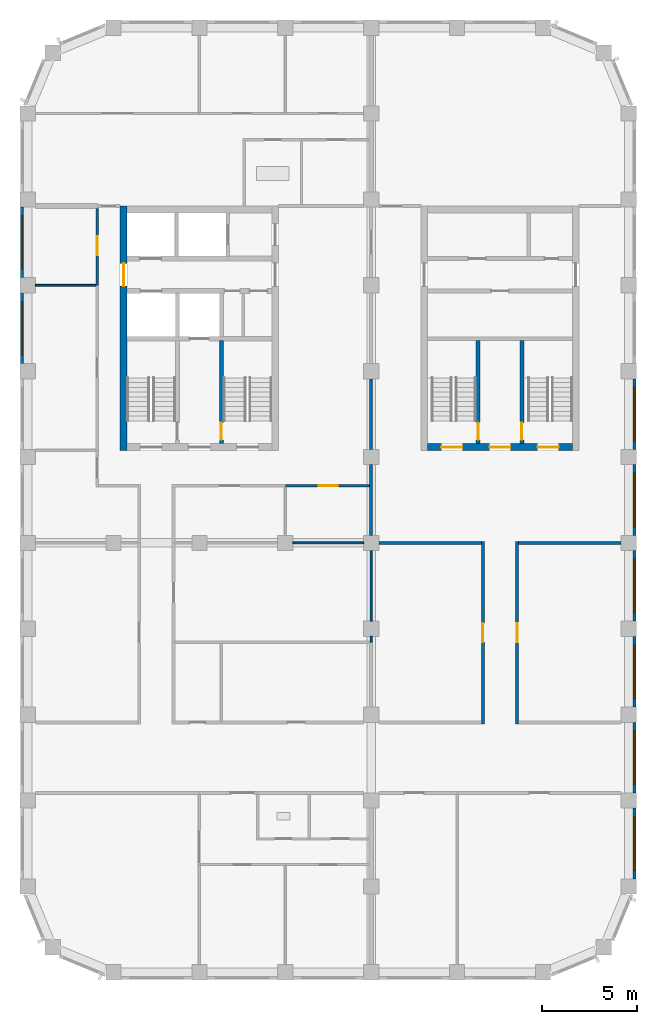
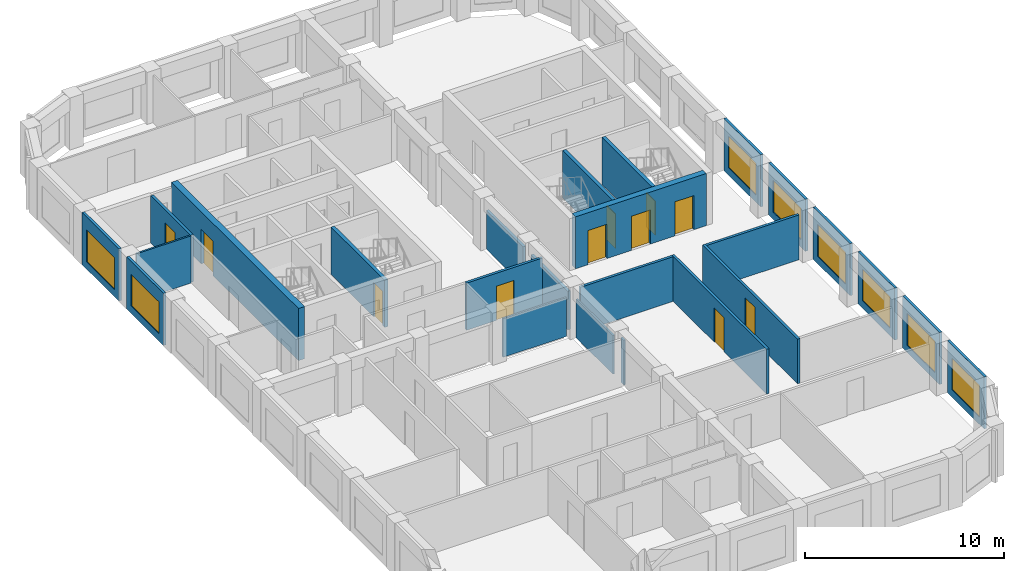
# One storey, part 4 of 9: 25 walls, 11 doors, 8 windows, 19 openings.
"""IFC4 building model written with IfcOpenShell, lengths in metres."""

from ifc_helpers import new_model, si_unit, direction, frame, frame_2d, origin, place, context, subcontext, project, spatial, rectangle, extrude, material, layer, layer_set, type_object, element, fill, save


model = new_model("IFC4")

# Units and contexts
model_context = context("Model", 3, precision=1e-05, world=origin(), true_north=direction((0.0, 1.0)))
body_context = subcontext(model_context, "Body", "Model", "MODEL_VIEW")
ifc_project = project(units=[si_unit("LENGTHUNIT", "METRE"), si_unit("AREAUNIT", "SQUARE_METRE"), si_unit("VOLUMEUNIT", "CUBIC_METRE"), si_unit("PLANEANGLEUNIT", "RADIAN"), si_unit("MASSUNIT", "GRAM", prefix="KILO")], contexts=[model_context])

# Site, building, storey
site_placement = place(None, origin())
site = spatial("IfcSite", under=ifc_project, at=site_placement, CompositionType="ELEMENT")
building_placement = place(site_placement, origin())
building = spatial("IfcBuilding", under=site, at=building_placement, Name="Girih Gate Residences", CompositionType="ELEMENT")
storey_placement = place(building_placement, frame((0.0, 0.0, 185.89990234375)))
storey = spatial("IfcBuildingStorey", under=building, at=storey_placement, Name="L51", CompositionType="ELEMENT", Elevation=185.89990234375)

# Walls
ifc_material_1 = material(Name="Gypsum board on steel studs", Category="steel")
ifc_layer_1 = layer(ifc_material_1, 0.14990234375)
ifc_layer_set_1 = layer_set([ifc_layer_1], Name="Compartment wall 150 mm")
wall_type_1 = type_object("IfcWallType", Name="Compartment wall 150 mm", PredefinedType="PARTITIONING", material=ifc_layer_set_1)
for number, where, z_axis, x_axis, name in (
    (1, (18.39990234375, 22.5, 0.0), (0.0, 0.0, 1.0), (1.0, 0.0, 0.0), "L51 partition"),
    (2, (25.72509765625, 22.5, 0.0), (0.0, 0.0, 1.0), (1.0, 0.0, 0.0), "L51 partition"),
):
    element("IfcWall", number, at=place(storey_placement, frame(where, z_axis=z_axis, x_axis=x_axis)), inside=storey, type_object=wall_type_1, Name=name, PredefinedType="PARTITIONING", context=body_context, shape_type="SweptSolid", body=[
        extrude(rectangle(XDim=5.375, YDim=0.14990234375, at=frame_2d((2.6875, 0.0))), origin(), (0.0, 0.0, 1.0), 2.75),
    ])
for number, where, z_axis, x_axis, name in (
    (3, (18.0, 27.39990234375, 0.0), (0.0, 0.0, 1.0), (0.0, 1.0, 0.0), "L51 partition"),
    (4, (18.0, 22.89990234375, 0.0), (0.0, 0.0, 1.0), (0.0, 1.0, 0.0), "L51 partition"),
):
    element("IfcWall", number, at=place(storey_placement, frame(where, z_axis=z_axis, x_axis=x_axis)), inside=storey, type_object=wall_type_1, Name=name, PredefinedType="PARTITIONING", context=body_context, shape_type="SweptSolid", body=[
        extrude(rectangle(XDim=3.7001953125, YDim=0.14990234375, at=frame_2d((1.85009765625, 0.0))), origin(), (0.0, 0.0, 1.0), 2.380126953125),
    ])

# Wall, opening, door
wall_1_placement = place(storey_placement, frame((23.85009765625, 13.02490234375, 0.0), z_axis=(0.0, 0.0, 1.0), x_axis=(0.0, 1.0, 0.0)))
wall_1 = element("IfcWall", 5, at=wall_1_placement, inside=storey, type_object=wall_type_1, Name="L51 partition", PredefinedType="PARTITIONING", context=body_context, shape_type="SweptSolid", body=[
    extrude(rectangle(XDim=9.550048828125, YDim=0.14990234375, at=frame_2d((4.77490234375, 0.0))), origin(), (0.0, 0.0, 1.0), 2.75),
])
opening_1_placement = place(wall_1_placement, frame((4.27490234375, 0.0, 0.0)))
opening_1 = element("IfcOpeningElement", 6, at=opening_1_placement, cuts=wall_1, Name="Opening A51-018", PredefinedType="OPENING", context=body_context, shape_type="SweptSolid", body=[
    extrude(rectangle(XDim=1.0, YDim=2.10009765625, at=frame_2d((0.5, 1.050048828125))), frame((0.0, 0.0849609375, 0.0), z_axis=(0.0, -1.0, 0.0), x_axis=(1.0, 0.0, 0.0)), (0.0, 0.0, 1.0), 0.169921875),
])
ifc_material_2 = material(Name="Timber, fire-rated core", Category="wood")
door_type_1 = type_object("IfcDoorType", Name="Amenity room door 1000x2100 FD30S", OperationType="NOTDEFINED", PredefinedType="DOOR", material=ifc_material_2)
door_1_placement = place(opening_1_placement, origin())
door_1 = element("IfcDoor", 7, at=door_1_placement, inside=storey, type_object=door_type_1, Name="Door A51-018", OperationType="SINGLE_SWING_RIGHT", OverallHeight=2.10009765625, OverallWidth=1.0, PredefinedType="DOOR", context=body_context, shape_type="SweptSolid", body=[
    extrude(rectangle(XDim=1.0, YDim=2.10009765625, at=frame_2d((0.5, 1.050048828125))), frame((0.0, 0.02490234375, 0.0), z_axis=(0.0, -1.0, 0.0), x_axis=(1.0, 0.0, 0.0)), (0.0, 0.0, 1.0), 0.050048828125),
])
fill(opening_1, door_1)

wall_2_placement = place(storey_placement, frame((25.64990234375, 22.574951171875, 0.0), z_axis=(0.0, 0.0, 1.0), x_axis=(0.0, -1.0, 0.0)))
wall_2 = element("IfcWall", 8, at=wall_2_placement, inside=storey, type_object=wall_type_1, Name="L51 partition", PredefinedType="PARTITIONING", context=body_context, shape_type="SweptSolid", body=[
    extrude(rectangle(XDim=9.550048828125, YDim=0.14990234375, at=frame_2d((4.77490234375, 0.0))), origin(), (0.0, 0.0, 1.0), 2.75),
])
opening_2_placement = place(wall_2_placement, frame((4.27490234375, 0.0, 0.0)))
opening_2 = element("IfcOpeningElement", 9, at=opening_2_placement, cuts=wall_2, Name="Opening A51-019", PredefinedType="OPENING", context=body_context, shape_type="SweptSolid", body=[
    extrude(rectangle(XDim=1.0, YDim=2.10009765625, at=frame_2d((0.5, 1.050048828125))), frame((0.0, 0.0849609375, 0.0), z_axis=(0.0, -1.0, 0.0), x_axis=(1.0, 0.0, 0.0)), (0.0, 0.0, 1.0), 0.169921875),
])
door_2_placement = place(opening_2_placement, origin())
door_2 = element("IfcDoor", 10, at=door_2_placement, inside=storey, type_object=door_type_1, Name="Door A51-019", OperationType="SINGLE_SWING_LEFT", OverallHeight=2.10009765625, OverallWidth=1.0, PredefinedType="DOOR", context=body_context, shape_type="SweptSolid", body=[
    extrude(rectangle(XDim=1.0, YDim=2.10009765625, at=frame_2d((0.5, 1.050048828125))), frame((0.0, 0.02490234375, 0.0), z_axis=(0.0, -1.0, 0.0), x_axis=(1.0, 0.0, 0.0)), (0.0, 0.0, 1.0), 0.050048828125),
])
fill(opening_2, door_2)

wall_3_placement = place(storey_placement, frame((17.925048828125, 25.5, 0.0), z_axis=(0.0, 0.0, 1.0), x_axis=(-1.0, 0.0, 0.0)))
wall_3 = element("IfcWall", 11, at=wall_3_placement, inside=storey, type_object=wall_type_1, Name="L51 partition", PredefinedType="PARTITIONING", context=body_context, shape_type="SweptSolid", body=[
    extrude(rectangle(XDim=4.425048828125, YDim=0.14990234375, at=frame_2d((2.21240234375, 0.0))), origin(), (0.0, 0.0, 1.0), 2.900146484375),
])
opening_3_placement = place(wall_3_placement, frame((1.675048828125, 0.0, 0.0)))
opening_3 = element("IfcOpeningElement", 12, at=opening_3_placement, cuts=wall_3, Name="Opening A51-024", PredefinedType="OPENING", context=body_context, shape_type="SweptSolid", body=[
    extrude(rectangle(XDim=1.0, YDim=2.10009765625, at=frame_2d((0.5, 1.050048828125))), frame((0.0, 0.0849609375, 0.0), z_axis=(0.0, -1.0, 0.0), x_axis=(1.0, 0.0, 0.0)), (0.0, 0.0, 1.0), 0.169921875),
])
door_3_placement = place(opening_3_placement, origin())
door_3 = element("IfcDoor", 13, at=door_3_placement, inside=storey, type_object=door_type_1, Name="Door A51-024", OperationType="SINGLE_SWING_LEFT", OverallHeight=2.10009765625, OverallWidth=1.0, PredefinedType="DOOR", context=body_context, shape_type="SweptSolid", body=[
    extrude(rectangle(XDim=1.0, YDim=2.10009765625, at=frame_2d((0.5, 1.050048828125))), frame((0.0, 0.02490234375, 0.0), z_axis=(0.0, -1.0, 0.0), x_axis=(1.0, 0.0, 0.0)), (0.0, 0.0, 1.0), 0.050048828125),
])
fill(opening_3, door_3)

wall_4_placement = place(storey_placement, frame((3.64990234375, 36.0, 0.0), z_axis=(0.0, 0.0, 1.0), x_axis=(0.0, 1.0, 0.0)))
wall_4 = element("IfcWall", 14, at=wall_4_placement, inside=storey, type_object=wall_type_1, Name="L51 partition", PredefinedType="PARTITIONING", context=body_context, shape_type="SweptSolid", body=[
    extrude(rectangle(XDim=4.02490234375, YDim=0.14990234375, at=frame_2d((2.012451171875, 0.0))), origin(), (0.0, 0.0, 1.0), 2.900146484375),
])
opening_4_placement = place(wall_4_placement, frame((1.574951171875, 0.0, 0.0)))
opening_4 = element("IfcOpeningElement", 15, at=opening_4_placement, cuts=wall_4, Name="Opening A51-026", PredefinedType="OPENING", context=body_context, shape_type="SweptSolid", body=[
    extrude(rectangle(XDim=1.0, YDim=2.10009765625, at=frame_2d((0.5, 1.050048828125))), frame((0.0, 0.0849609375, 0.0), z_axis=(0.0, -1.0, 0.0), x_axis=(1.0, 0.0, 0.0)), (0.0, 0.0, 1.0), 0.169921875),
])
door_4_placement = place(opening_4_placement, origin())
door_4 = element("IfcDoor", 16, at=door_4_placement, inside=storey, type_object=door_type_1, Name="Door A51-026", OperationType="SINGLE_SWING_RIGHT", OverallHeight=2.10009765625, OverallWidth=1.0, PredefinedType="DOOR", context=body_context, shape_type="SweptSolid", body=[
    extrude(rectangle(XDim=1.0, YDim=2.10009765625, at=frame_2d((0.5, 1.050048828125))), frame((0.0, 0.02490234375, 0.0), z_axis=(0.0, -1.0, 0.0), x_axis=(1.0, 0.0, 0.0)), (0.0, 0.0, 1.0), 0.050048828125),
])
fill(opening_4, door_4)

ifc_material_3 = material(Name="Concrete C60/75", Category="concrete")
ifc_layer_2 = layer(ifc_material_3, 0.35009765625)
ifc_layer_set_2 = layer_set([ifc_layer_2], Name="Core wall RC 350 Concrete C60/75")
wall_type_2 = type_object("IfcWallType", Name="Core wall RC 350 Concrete C60/75", PredefinedType="SOLIDWALL", material=ifc_layer_set_2)
wall_5_placement = place(storey_placement, frame((5.02490234375, 27.35009765625, 0.0), z_axis=(0.0, 0.0, 1.0), x_axis=(0.0, 1.0, 0.0)))
wall_5 = element("IfcWall", 17, at=wall_5_placement, inside=storey, type_object=wall_type_2, Name="Core wall W-W L51", PredefinedType="SOLIDWALL", context=body_context, shape_type="SweptSolid", body=[
    extrude(rectangle(XDim=12.7998046875, YDim=0.35009765625, at=frame_2d((6.39990234375, 0.0))), origin(), (0.0, 0.0, 1.0), 3.2001953125),
])
opening_5_placement = place(wall_5_placement, frame((8.60009765625, 0.0, 0.0)))
opening_5 = element("IfcOpeningElement", 18, at=opening_5_placement, cuts=wall_5, Name="Opening D-L51-W-013", PredefinedType="OPENING", context=body_context, shape_type="SweptSolid", body=[
    extrude(rectangle(XDim=1.199951171875, YDim=2.10009765625, at=frame_2d((0.60009765625, 1.050048828125))), frame((0.0, 0.18505859375, 0.0), z_axis=(0.0, -1.0, 0.0), x_axis=(1.0, 0.0, 0.0)), (0.0, 0.0, 1.0), 0.3701171875),
])
ifc_material_4 = material(Name="Painted steel, fire-resisting", Category="steel")
door_type_2 = type_object("IfcDoorType", Name="Fire door 1200x2100", OperationType="SINGLE_SWING_LEFT", PredefinedType="DOOR", material=ifc_material_4)
door_5_placement = place(opening_5_placement, origin())
door_5 = element("IfcDoor", 19, at=door_5_placement, inside=storey, type_object=door_type_2, Name="L51 W core door ll-w", OperationType="SINGLE_SWING_LEFT", OverallHeight=2.10009765625, OverallWidth=1.199951171875, PredefinedType="DOOR", context=body_context, shape_type="SweptSolid", body=[
    extrude(rectangle(XDim=1.199951171875, YDim=2.10009765625, at=frame_2d((0.60009765625, 1.050048828125))), frame((0.0, 0.02490234375, 0.0), z_axis=(0.0, -1.0, 0.0), x_axis=(1.0, 0.0, 0.0)), (0.0, 0.0, 1.0), 0.050048828125),
])
fill(opening_5, door_5)

# Walls
ifc_layer_3 = layer(ifc_material_1, 0.10009765625)
ifc_layer_set_3 = layer_set([ifc_layer_3], Name="Partition 100 mm")
wall_type_3 = type_object("IfcWallType", Name="Partition 100 mm", PredefinedType="PARTITIONING", material=ifc_layer_set_3)
wall_6_placement = place(storey_placement, frame((18.0, 18.39990234375, 0.0), z_axis=(0.0, 0.0, 1.0), x_axis=(0.0, 1.0, 0.0)))
element("IfcWall", 20, at=wall_6_placement, inside=storey, type_object=wall_type_3, Name="L51 partition", PredefinedType="PARTITIONING", context=body_context, shape_type="SweptSolid", body=[
    extrude(rectangle(XDim=3.7001953125, YDim=0.10009765625, at=frame_2d((1.85009765625, 0.0))), origin(), (0.0, 0.0, 1.0), 2.380126953125),
])
wall_7_placement = place(storey_placement, frame((18.0, 17.300048828125, 0.0), z_axis=(0.0, 0.0, 1.0), x_axis=(0.0, 1.0, 0.0)))
element("IfcWall", 21, at=wall_7_placement, inside=storey, type_object=wall_type_3, Name="L51 partition", PredefinedType="PARTITIONING", context=body_context, shape_type="SweptSolid", body=[
    extrude(rectangle(XDim=0.300048828125, YDim=0.10009765625, at=frame_2d((0.14990234375, 0.0))), origin(), (0.0, 0.0, 1.0), 2.75),
])
wall_8_placement = place(storey_placement, frame((13.89990234375, 22.5, 0.0), z_axis=(0.0, 0.0, 1.0), x_axis=(1.0, 0.0, 0.0)))
element("IfcWall", 22, at=wall_8_placement, inside=storey, type_object=wall_type_3, Name="L51 partition", PredefinedType="PARTITIONING", context=body_context, shape_type="SweptSolid", body=[
    extrude(rectangle(XDim=3.7001953125, YDim=0.10009765625, at=frame_2d((1.85009765625, 0.0))), origin(), (0.0, 0.0, 1.0), 2.380126953125),
])
wall_9_placement = place(storey_placement, frame((0.39990234375, 36.0, 0.0), z_axis=(0.0, 0.0, 1.0), x_axis=(1.0, 0.0, 0.0)))
element("IfcWall", 23, at=wall_9_placement, inside=storey, type_object=wall_type_3, Name="L51 partition", PredefinedType="PARTITIONING", context=body_context, shape_type="SweptSolid", body=[
    extrude(rectangle(XDim=3.175048828125, YDim=0.10009765625, at=frame_2d((1.58740234375, 0.0))), origin(), (0.0, 0.0, 1.0), 2.900146484375),
])

# Wall, opening, window
ifc_material_5 = material(Name="Precast concrete C50/60", Category="concrete")
ifc_layer_4 = layer(ifc_material_5, 0.050048828125, Name="Outer leaf")
ifc_material_6 = material(Name="Rigid PIR insulation")
ifc_layer_5 = layer(ifc_material_6, 0.06005859375, Name="Insulation")
ifc_material_7 = material(Name="Precast concrete C40/50", Category="concrete")
ifc_layer_6 = layer(ifc_material_7, 0.0400390625, Name="Inner leaf")
ifc_layer_set_4 = layer_set([ifc_layer_4, ifc_layer_5, ifc_layer_6], Name="Precast concrete C50/60 external wall 150")
wall_type_4 = type_object("IfcWallType", Name="Precast concrete C50/60 external wall 150", PredefinedType="SOLIDWALL", material=ifc_layer_set_4)
wall_10_placement = place(storey_placement, frame((31.800048828125, 8.60009765625, 0.0), z_axis=(0.0, 0.0, 1.0), x_axis=(0.0, -1.0, 0.0)))
wall_10 = element("IfcWall", 24, at=wall_10_placement, inside=storey, type_object=wall_type_4, Name="External wall E0315_0045.0", PredefinedType="SOLIDWALL", context=body_context, shape_type="SweptSolid", body=[
    extrude(rectangle(XDim=3.7001953125, YDim=0.14990234375, at=frame_2d((1.85009765625, 0.0))), origin(), (0.0, 0.0, 1.0), 3.2001953125),
])
opening_6_placement = place(wall_10_placement, frame((0.449951171875, 0.0, 0.449951171875)))
opening_6 = element("IfcOpeningElement", 25, at=opening_6_placement, cuts=wall_10, Name="Opening W-1B", PredefinedType="OPENING", context=body_context, shape_type="SweptSolid", body=[
    extrude(rectangle(XDim=2.800048828125, YDim=1.949951171875, at=frame_2d((1.39990234375, 0.97509765625))), frame((0.0, 0.0849609375, 0.0), z_axis=(0.0, -1.0, 0.0), x_axis=(1.0, 0.0, 0.0)), (0.0, 0.0, 1.0), 0.169921875),
])
ifc_material_8 = material(Name="Double glazing in aluminium frame", Category="aluminium")
window_type = type_object("IfcWindowType", Name="Window W-1B 2800x1950", PartitioningType="SINGLE_PANEL", PredefinedType="WINDOW", material=ifc_material_8)
window_1_placement = place(opening_6_placement, origin())
window_1 = element("IfcWindow", 26, at=window_1_placement, inside=storey, type_object=window_type, Name="Window W-1B E0315_0045.0", OverallHeight=1.949951171875, OverallWidth=2.800048828125, PartitioningType="SINGLE_PANEL", PredefinedType="WINDOW", context=body_context, shape_type="SweptSolid", body=[
    extrude(rectangle(XDim=2.800048828125, YDim=1.949951171875, at=frame_2d((1.39990234375, 0.97509765625))), frame((0.0, 0.030029296875, 0.0), z_axis=(0.0, -1.0, 0.0), x_axis=(1.0, 0.0, 0.0)), (0.0, 0.0, 1.0), 0.06005859375),
])
fill(opening_6, window_1)

wall_11_placement = place(storey_placement, frame((31.800048828125, 13.10009765625, 0.0), z_axis=(0.0, 0.0, 1.0), x_axis=(0.0, -1.0, 0.0)))
wall_11 = element("IfcWall", 27, at=wall_11_placement, inside=storey, type_object=wall_type_4, Name="External wall E0315_0045.1", PredefinedType="SOLIDWALL", context=body_context, shape_type="SweptSolid", body=[
    extrude(rectangle(XDim=3.7001953125, YDim=0.14990234375, at=frame_2d((1.85009765625, 0.0))), origin(), (0.0, 0.0, 1.0), 3.2001953125),
])
opening_7_placement = place(wall_11_placement, frame((0.449951171875, 0.0, 0.449951171875)))
opening_7 = element("IfcOpeningElement", 28, at=opening_7_placement, cuts=wall_11, Name="Opening W-1B", PredefinedType="OPENING", context=body_context, shape_type="SweptSolid", body=[
    extrude(rectangle(XDim=2.800048828125, YDim=1.949951171875, at=frame_2d((1.39990234375, 0.97509765625))), frame((0.0, 0.0849609375, 0.0), z_axis=(0.0, -1.0, 0.0), x_axis=(1.0, 0.0, 0.0)), (0.0, 0.0, 1.0), 0.169921875),
])
window_2_placement = place(opening_7_placement, origin())
window_2 = element("IfcWindow", 29, at=window_2_placement, inside=storey, type_object=window_type, Name="Window W-1B E0315_0045.1", OverallHeight=1.949951171875, OverallWidth=2.800048828125, PartitioningType="SINGLE_PANEL", PredefinedType="WINDOW", context=body_context, shape_type="SweptSolid", body=[
    extrude(rectangle(XDim=2.800048828125, YDim=1.949951171875, at=frame_2d((1.39990234375, 0.97509765625))), frame((0.0, 0.030029296875, 0.0), z_axis=(0.0, -1.0, 0.0), x_axis=(1.0, 0.0, 0.0)), (0.0, 0.0, 1.0), 0.06005859375),
])
fill(opening_7, window_2)

wall_12_placement = place(storey_placement, frame((31.800048828125, 17.60009765625, 0.0), z_axis=(0.0, 0.0, 1.0), x_axis=(0.0, -1.0, 0.0)))
wall_12 = element("IfcWall", 30, at=wall_12_placement, inside=storey, type_object=wall_type_4, Name="External wall E0315_0045.2", PredefinedType="SOLIDWALL", context=body_context, shape_type="SweptSolid", body=[
    extrude(rectangle(XDim=3.7001953125, YDim=0.14990234375, at=frame_2d((1.85009765625, 0.0))), origin(), (0.0, 0.0, 1.0), 3.2001953125),
])
opening_8_placement = place(wall_12_placement, frame((0.449951171875, 0.0, 0.449951171875)))
opening_8 = element("IfcOpeningElement", 31, at=opening_8_placement, cuts=wall_12, Name="Opening W-1B", PredefinedType="OPENING", context=body_context, shape_type="SweptSolid", body=[
    extrude(rectangle(XDim=2.800048828125, YDim=1.949951171875, at=frame_2d((1.39990234375, 0.97509765625))), frame((0.0, 0.0849609375, 0.0), z_axis=(0.0, -1.0, 0.0), x_axis=(1.0, 0.0, 0.0)), (0.0, 0.0, 1.0), 0.169921875),
])
window_3_placement = place(opening_8_placement, origin())
window_3 = element("IfcWindow", 32, at=window_3_placement, inside=storey, type_object=window_type, Name="Window W-1B E0315_0045.2", OverallHeight=1.949951171875, OverallWidth=2.800048828125, PartitioningType="SINGLE_PANEL", PredefinedType="WINDOW", context=body_context, shape_type="SweptSolid", body=[
    extrude(rectangle(XDim=2.800048828125, YDim=1.949951171875, at=frame_2d((1.39990234375, 0.97509765625))), frame((0.0, 0.030029296875, 0.0), z_axis=(0.0, -1.0, 0.0), x_axis=(1.0, 0.0, 0.0)), (0.0, 0.0, 1.0), 0.06005859375),
])
fill(opening_8, window_3)

wall_13_placement = place(storey_placement, frame((31.800048828125, 22.10009765625, 0.0), z_axis=(0.0, 0.0, 1.0), x_axis=(0.0, -1.0, 0.0)))
wall_13 = element("IfcWall", 33, at=wall_13_placement, inside=storey, type_object=wall_type_4, Name="External wall E0315_0045.3", PredefinedType="SOLIDWALL", context=body_context, shape_type="SweptSolid", body=[
    extrude(rectangle(XDim=3.7001953125, YDim=0.14990234375, at=frame_2d((1.85009765625, 0.0))), origin(), (0.0, 0.0, 1.0), 3.2001953125),
])
opening_9_placement = place(wall_13_placement, frame((0.449951171875, 0.0, 0.449951171875)))
opening_9 = element("IfcOpeningElement", 34, at=opening_9_placement, cuts=wall_13, Name="Opening W-1B", PredefinedType="OPENING", context=body_context, shape_type="SweptSolid", body=[
    extrude(rectangle(XDim=2.800048828125, YDim=1.949951171875, at=frame_2d((1.39990234375, 0.97509765625))), frame((0.0, 0.0849609375, 0.0), z_axis=(0.0, -1.0, 0.0), x_axis=(1.0, 0.0, 0.0)), (0.0, 0.0, 1.0), 0.169921875),
])
window_4_placement = place(opening_9_placement, origin())
window_4 = element("IfcWindow", 35, at=window_4_placement, inside=storey, type_object=window_type, Name="Window W-1B E0315_0045.3", OverallHeight=1.949951171875, OverallWidth=2.800048828125, PartitioningType="SINGLE_PANEL", PredefinedType="WINDOW", context=body_context, shape_type="SweptSolid", body=[
    extrude(rectangle(XDim=2.800048828125, YDim=1.949951171875, at=frame_2d((1.39990234375, 0.97509765625))), frame((0.0, 0.030029296875, 0.0), z_axis=(0.0, -1.0, 0.0), x_axis=(1.0, 0.0, 0.0)), (0.0, 0.0, 1.0), 0.06005859375),
])
fill(opening_9, window_4)

wall_14_placement = place(storey_placement, frame((31.800048828125, 26.60009765625, 0.0), z_axis=(0.0, 0.0, 1.0), x_axis=(0.0, -1.0, 0.0)))
wall_14 = element("IfcWall", 36, at=wall_14_placement, inside=storey, type_object=wall_type_4, Name="External wall E0315_0045.4", PredefinedType="SOLIDWALL", context=body_context, shape_type="SweptSolid", body=[
    extrude(rectangle(XDim=3.7001953125, YDim=0.14990234375, at=frame_2d((1.85009765625, 0.0))), origin(), (0.0, 0.0, 1.0), 3.2001953125),
])
opening_10_placement = place(wall_14_placement, frame((0.449951171875, 0.0, 0.449951171875)))
opening_10 = element("IfcOpeningElement", 37, at=opening_10_placement, cuts=wall_14, Name="Opening W-1B", PredefinedType="OPENING", context=body_context, shape_type="SweptSolid", body=[
    extrude(rectangle(XDim=2.800048828125, YDim=1.949951171875, at=frame_2d((1.39990234375, 0.97509765625))), frame((0.0, 0.0849609375, 0.0), z_axis=(0.0, -1.0, 0.0), x_axis=(1.0, 0.0, 0.0)), (0.0, 0.0, 1.0), 0.169921875),
])
window_5_placement = place(opening_10_placement, origin())
window_5 = element("IfcWindow", 38, at=window_5_placement, inside=storey, type_object=window_type, Name="Window W-1B E0315_0045.4", OverallHeight=1.949951171875, OverallWidth=2.800048828125, PartitioningType="SINGLE_PANEL", PredefinedType="WINDOW", context=body_context, shape_type="SweptSolid", body=[
    extrude(rectangle(XDim=2.800048828125, YDim=1.949951171875, at=frame_2d((1.39990234375, 0.97509765625))), frame((0.0, 0.030029296875, 0.0), z_axis=(0.0, -1.0, 0.0), x_axis=(1.0, 0.0, 0.0)), (0.0, 0.0, 1.0), 0.06005859375),
])
fill(opening_10, window_5)

wall_15_placement = place(storey_placement, frame((31.800048828125, 31.10009765625, 0.0), z_axis=(0.0, 0.0, 1.0), x_axis=(0.0, -1.0, 0.0)))
wall_15 = element("IfcWall", 39, at=wall_15_placement, inside=storey, type_object=wall_type_4, Name="External wall E0315_0045.5", PredefinedType="SOLIDWALL", context=body_context, shape_type="SweptSolid", body=[
    extrude(rectangle(XDim=3.7001953125, YDim=0.14990234375, at=frame_2d((1.85009765625, 0.0))), origin(), (0.0, 0.0, 1.0), 3.2001953125),
])
opening_11_placement = place(wall_15_placement, frame((0.449951171875, 0.0, 0.449951171875)))
opening_11 = element("IfcOpeningElement", 40, at=opening_11_placement, cuts=wall_15, Name="Opening W-1B", PredefinedType="OPENING", context=body_context, shape_type="SweptSolid", body=[
    extrude(rectangle(XDim=2.800048828125, YDim=1.949951171875, at=frame_2d((1.39990234375, 0.97509765625))), frame((0.0, 0.0849609375, 0.0), z_axis=(0.0, -1.0, 0.0), x_axis=(1.0, 0.0, 0.0)), (0.0, 0.0, 1.0), 0.169921875),
])
window_6_placement = place(opening_11_placement, origin())
window_6 = element("IfcWindow", 41, at=window_6_placement, inside=storey, type_object=window_type, Name="Window W-1B E0315_0045.5", OverallHeight=1.949951171875, OverallWidth=2.800048828125, PartitioningType="SINGLE_PANEL", PredefinedType="WINDOW", context=body_context, shape_type="SweptSolid", body=[
    extrude(rectangle(XDim=2.800048828125, YDim=1.949951171875, at=frame_2d((1.39990234375, 0.97509765625))), frame((0.0, 0.030029296875, 0.0), z_axis=(0.0, -1.0, 0.0), x_axis=(1.0, 0.0, 0.0)), (0.0, 0.0, 1.0), 0.06005859375),
])
fill(opening_11, window_6)

wall_16_placement = place(storey_placement, frame((-0.300048828125, 36.39990234375, 0.0), z_axis=(0.0, 0.0, 1.0), x_axis=(0.0, 1.0, 0.0)))
wall_16 = element("IfcWall", 42, at=wall_16_placement, inside=storey, type_object=wall_type_4, Name="External wall W0000_0450.1", PredefinedType="SOLIDWALL", context=body_context, shape_type="SweptSolid", body=[
    extrude(rectangle(XDim=3.7001953125, YDim=0.14990234375, at=frame_2d((1.85009765625, 0.0))), origin(), (0.0, 0.0, 1.0), 3.2001953125),
])
opening_12_placement = place(wall_16_placement, frame((0.449951171875, 0.0, 0.449951171875)))
opening_12 = element("IfcOpeningElement", 43, at=opening_12_placement, cuts=wall_16, Name="Opening W-1B", PredefinedType="OPENING", context=body_context, shape_type="SweptSolid", body=[
    extrude(rectangle(XDim=2.800048828125, YDim=1.949951171875, at=frame_2d((1.39990234375, 0.97509765625))), frame((0.0, 0.0849609375, 0.0), z_axis=(0.0, -1.0, 0.0), x_axis=(1.0, 0.0, 0.0)), (0.0, 0.0, 1.0), 0.169921875),
])
window_7_placement = place(opening_12_placement, origin())
window_7 = element("IfcWindow", 44, at=window_7_placement, inside=storey, type_object=window_type, Name="Window W-1B W0000_0450.1", OverallHeight=1.949951171875, OverallWidth=2.800048828125, PartitioningType="SINGLE_PANEL", PredefinedType="WINDOW", context=body_context, shape_type="SweptSolid", body=[
    extrude(rectangle(XDim=2.800048828125, YDim=1.949951171875, at=frame_2d((1.39990234375, 0.97509765625))), frame((0.0, 0.030029296875, 0.0), z_axis=(0.0, -1.0, 0.0), x_axis=(1.0, 0.0, 0.0)), (0.0, 0.0, 1.0), 0.06005859375),
])
fill(opening_12, window_7)

wall_17_placement = place(storey_placement, frame((-0.300048828125, 31.89990234375, 0.0), z_axis=(0.0, 0.0, 1.0), x_axis=(0.0, 1.0, 0.0)))
wall_17 = element("IfcWall", 45, at=wall_17_placement, inside=storey, type_object=wall_type_4, Name="External wall W0000_0450.2", PredefinedType="SOLIDWALL", context=body_context, shape_type="SweptSolid", body=[
    extrude(rectangle(XDim=3.7001953125, YDim=0.14990234375, at=frame_2d((1.85009765625, 0.0))), origin(), (0.0, 0.0, 1.0), 3.2001953125),
])
opening_13_placement = place(wall_17_placement, frame((0.449951171875, 0.0, 0.449951171875)))
opening_13 = element("IfcOpeningElement", 46, at=opening_13_placement, cuts=wall_17, Name="Opening W-1B", PredefinedType="OPENING", context=body_context, shape_type="SweptSolid", body=[
    extrude(rectangle(XDim=2.800048828125, YDim=1.949951171875, at=frame_2d((1.39990234375, 0.97509765625))), frame((0.0, 0.0849609375, 0.0), z_axis=(0.0, -1.0, 0.0), x_axis=(1.0, 0.0, 0.0)), (0.0, 0.0, 1.0), 0.169921875),
])
window_8_placement = place(opening_13_placement, origin())
window_8 = element("IfcWindow", 47, at=window_8_placement, inside=storey, type_object=window_type, Name="Window W-1B W0000_0450.2", OverallHeight=1.949951171875, OverallWidth=2.800048828125, PartitioningType="SINGLE_PANEL", PredefinedType="WINDOW", context=body_context, shape_type="SweptSolid", body=[
    extrude(rectangle(XDim=2.800048828125, YDim=1.949951171875, at=frame_2d((1.39990234375, 0.97509765625))), frame((0.0, 0.030029296875, 0.0), z_axis=(0.0, -1.0, 0.0), x_axis=(1.0, 0.0, 0.0)), (0.0, 0.0, 1.0), 0.06005859375),
])
fill(opening_13, window_8)

# Wall, opening, door
ifc_material_9 = material(Name="Concrete C40/50", Category="concrete")
ifc_layer_7 = layer(ifc_material_9, 0.199951171875)
ifc_layer_set_5 = layer_set([ifc_layer_7], Name="Shaft wall 200")
wall_type_5 = type_object("IfcWallType", Name="Shaft wall 200", PredefinedType="SOLIDWALL", material=ifc_layer_set_5)
wall_18_placement = place(storey_placement, frame((10.14990234375, 27.699951171875, 0.0), z_axis=(0.0, 0.0, 1.0), x_axis=(0.0, 1.0, 0.0)))
wall_18 = element("IfcWall", 48, at=wall_18_placement, inside=storey, type_object=wall_type_5, Name="L51 W core wall V2a", PredefinedType="SOLIDWALL", context=body_context, shape_type="SweptSolid", body=[
    extrude(rectangle(XDim=5.400146484375, YDim=0.199951171875, at=frame_2d((2.7001953125, 0.0))), origin(), (0.0, 0.0, 1.0), 2.900146484375),
])
opening_14_placement = place(wall_18_placement, frame((0.199951171875, 0.0, 0.0)))
opening_14 = element("IfcOpeningElement", 49, at=opening_14_placement, cuts=wall_18, Name="Opening D-L51-W-002", PredefinedType="OPENING", context=body_context, shape_type="SweptSolid", body=[
    extrude(rectangle(XDim=0.89990234375, YDim=2.10009765625, at=frame_2d((0.449951171875, 1.050048828125))), frame((0.0, 0.10986328125, 0.0), z_axis=(0.0, -1.0, 0.0), x_axis=(1.0, 0.0, 0.0)), (0.0, 0.0, 1.0), 0.219970703125),
])
door_type_3 = type_object("IfcDoorType", Name="Fire door 900x2100", OperationType="SINGLE_SWING_LEFT", PredefinedType="DOOR", material=ifc_material_4)
door_6_placement = place(opening_14_placement, origin())
door_6 = element("IfcDoor", 50, at=door_6_placement, inside=storey, type_object=door_type_3, Name="L51 W door stair 2 to firefighting lobby", OperationType="SINGLE_SWING_LEFT", OverallHeight=2.10009765625, OverallWidth=0.89990234375, PredefinedType="DOOR", context=body_context, shape_type="SweptSolid", body=[
    extrude(rectangle(XDim=0.89990234375, YDim=2.10009765625, at=frame_2d((0.449951171875, 1.050048828125))), frame((0.0, 0.02490234375, 0.0), z_axis=(0.0, -1.0, 0.0), x_axis=(1.0, 0.0, 0.0)), (0.0, 0.0, 1.0), 0.050048828125),
])
fill(opening_14, door_6)

wall_19_placement = place(storey_placement, frame((23.60009765625, 27.699951171875, 0.0), z_axis=(0.0, 0.0, 1.0), x_axis=(0.0, 1.0, 0.0)))
wall_19 = element("IfcWall", 51, at=wall_19_placement, inside=storey, type_object=wall_type_5, Name="L51 C core wall V1a", PredefinedType="SOLIDWALL", context=body_context, shape_type="SweptSolid", body=[
    extrude(rectangle(XDim=5.400146484375, YDim=0.199951171875, at=frame_2d((2.7001953125, 0.0))), origin(), (0.0, 0.0, 1.0), 2.900146484375),
])
opening_15_placement = place(wall_19_placement, frame((0.199951171875, 0.0, 0.0)))
opening_15 = element("IfcOpeningElement", 52, at=opening_15_placement, cuts=wall_19, Name="Opening D-L51-C-001", PredefinedType="OPENING", context=body_context, shape_type="SweptSolid", body=[
    extrude(rectangle(XDim=0.89990234375, YDim=2.10009765625, at=frame_2d((0.449951171875, 1.050048828125))), frame((0.0, 0.10986328125, 0.0), z_axis=(0.0, -1.0, 0.0), x_axis=(1.0, 0.0, 0.0)), (0.0, 0.0, 1.0), 0.219970703125),
])
door_7_placement = place(opening_15_placement, origin())
door_7 = element("IfcDoor", 53, at=door_7_placement, inside=storey, type_object=door_type_3, Name="L51 C door stair 1 to stair lobby", OperationType="SINGLE_SWING_LEFT", OverallHeight=2.10009765625, OverallWidth=0.89990234375, PredefinedType="DOOR", context=body_context, shape_type="SweptSolid", body=[
    extrude(rectangle(XDim=0.89990234375, YDim=2.10009765625, at=frame_2d((0.449951171875, 1.050048828125))), frame((0.0, 0.02490234375, 0.0), z_axis=(0.0, -1.0, 0.0), x_axis=(1.0, 0.0, 0.0)), (0.0, 0.0, 1.0), 0.050048828125),
])
fill(opening_15, door_7)

wall_20_placement = place(storey_placement, frame((25.89990234375, 27.699951171875, 0.0), z_axis=(0.0, 0.0, 1.0), x_axis=(0.0, 1.0, 0.0)))
wall_20 = element("IfcWall", 54, at=wall_20_placement, inside=storey, type_object=wall_type_5, Name="L51 C core wall V2a", PredefinedType="SOLIDWALL", context=body_context, shape_type="SweptSolid", body=[
    extrude(rectangle(XDim=5.400146484375, YDim=0.199951171875, at=frame_2d((2.7001953125, 0.0))), origin(), (0.0, 0.0, 1.0), 2.900146484375),
])
opening_16_placement = place(wall_20_placement, frame((0.199951171875, 0.0, 0.0)))
opening_16 = element("IfcOpeningElement", 55, at=opening_16_placement, cuts=wall_20, Name="Opening D-L51-C-002", PredefinedType="OPENING", context=body_context, shape_type="SweptSolid", body=[
    extrude(rectangle(XDim=0.89990234375, YDim=2.10009765625, at=frame_2d((0.449951171875, 1.050048828125))), frame((0.0, 0.10986328125, 0.0), z_axis=(0.0, -1.0, 0.0), x_axis=(1.0, 0.0, 0.0)), (0.0, 0.0, 1.0), 0.219970703125),
])
door_8_placement = place(opening_16_placement, origin())
door_8 = element("IfcDoor", 56, at=door_8_placement, inside=storey, type_object=door_type_3, Name="L51 C door stair 2 to stair lobby", OperationType="SINGLE_SWING_LEFT", OverallHeight=2.10009765625, OverallWidth=0.89990234375, PredefinedType="DOOR", context=body_context, shape_type="SweptSolid", body=[
    extrude(rectangle(XDim=0.89990234375, YDim=2.10009765625, at=frame_2d((0.449951171875, 1.050048828125))), frame((0.0, 0.02490234375, 0.0), z_axis=(0.0, -1.0, 0.0), x_axis=(1.0, 0.0, 0.0)), (0.0, 0.0, 1.0), 0.050048828125),
])
fill(opening_16, door_8)

# Wall, openings, doors
ifc_layer_8 = layer(ifc_material_9, 0.35009765625)
ifc_layer_set_6 = layer_set([ifc_layer_8], Name="Stair core wall RC 350 Concrete C40/50")
wall_type_6 = type_object("IfcWallType", Name="Stair core wall RC 350 Concrete C40/50", PredefinedType="SOLIDWALL", material=ifc_layer_set_6)
wall_21_placement = place(storey_placement, frame((20.949951171875, 27.52490234375, 0.0), z_axis=(0.0, 0.0, 1.0), x_axis=(1.0, 0.0, 0.0)))
wall_21 = element("IfcWall", 57, at=wall_21_placement, inside=storey, type_object=wall_type_6, Name="Stair core wall C-S L51", PredefinedType="SOLIDWALL", context=body_context, shape_type="SweptSolid", body=[
    extrude(rectangle(XDim=7.60009765625, YDim=0.35009765625, at=frame_2d((3.800048828125, 0.0))), origin(), (0.0, 0.0, 1.0), 3.2001953125),
])
opening_17_placement = place(wall_21_placement, frame((0.72509765625, 0.0, 0.0)))
opening_17 = element("IfcOpeningElement", 58, at=opening_17_placement, cuts=wall_21, Name="Opening D-L51-C-006", PredefinedType="OPENING", context=body_context, shape_type="SweptSolid", body=[
    extrude(rectangle(XDim=1.10009765625, YDim=2.10009765625, at=frame_2d((0.550048828125, 1.050048828125))), frame((0.0, 0.18505859375, 0.0), z_axis=(0.0, -1.0, 0.0), x_axis=(1.0, 0.0, 0.0)), (0.0, 0.0, 1.0), 0.3701171875),
])
opening_18_placement = place(wall_21_placement, frame((3.25, 0.0, 0.0)))
opening_18 = element("IfcOpeningElement", 59, at=opening_18_placement, cuts=wall_21, Name="Opening D-L51-C-007", PredefinedType="OPENING", context=body_context, shape_type="SweptSolid", body=[
    extrude(rectangle(XDim=1.10009765625, YDim=2.10009765625, at=frame_2d((0.550048828125, 1.050048828125))), frame((0.0, 0.18505859375, 0.0), z_axis=(0.0, -1.0, 0.0), x_axis=(1.0, 0.0, 0.0)), (0.0, 0.0, 1.0), 0.3701171875),
])
opening_19_placement = place(wall_21_placement, frame((5.77490234375, 0.0, 0.0)))
opening_19 = element("IfcOpeningElement", 60, at=opening_19_placement, cuts=wall_21, Name="Opening D-L51-C-008", PredefinedType="OPENING", context=body_context, shape_type="SweptSolid", body=[
    extrude(rectangle(XDim=1.10009765625, YDim=2.10009765625, at=frame_2d((0.550048828125, 1.050048828125))), frame((0.0, 0.18505859375, 0.0), z_axis=(0.0, -1.0, 0.0), x_axis=(1.0, 0.0, 0.0)), (0.0, 0.0, 1.0), 0.3701171875),
])
door_type_4 = type_object("IfcDoorType", Name="Fire door 1100x2100", OperationType="SINGLE_SWING_LEFT", PredefinedType="DOOR", material=ifc_material_4)
door_9_placement = place(opening_17_placement, origin())
door_9 = element("IfcDoor", 61, at=door_9_placement, inside=storey, type_object=door_type_4, Name="L51 C core door sta-out", OperationType="SINGLE_SWING_LEFT", OverallHeight=2.10009765625, OverallWidth=1.10009765625, PredefinedType="DOOR", context=body_context, shape_type="SweptSolid", body=[
    extrude(rectangle(XDim=1.10009765625, YDim=2.10009765625, at=frame_2d((0.550048828125, 1.050048828125))), frame((0.0, 0.02490234375, 0.0), z_axis=(0.0, -1.0, 0.0), x_axis=(1.0, 0.0, 0.0)), (0.0, 0.0, 1.0), 0.050048828125),
])
fill(opening_17, door_9)
door_10_placement = place(opening_18_placement, origin())
door_10 = element("IfcDoor", 62, at=door_10_placement, inside=storey, type_object=door_type_4, Name="L51 C core door ffl-out", OperationType="SINGLE_SWING_LEFT", OverallHeight=2.10009765625, OverallWidth=1.10009765625, PredefinedType="DOOR", context=body_context, shape_type="SweptSolid", body=[
    extrude(rectangle(XDim=1.10009765625, YDim=2.10009765625, at=frame_2d((0.550048828125, 1.050048828125))), frame((0.0, 0.02490234375, 0.0), z_axis=(0.0, -1.0, 0.0), x_axis=(1.0, 0.0, 0.0)), (0.0, 0.0, 1.0), 0.050048828125),
])
fill(opening_18, door_10)
door_11_placement = place(opening_19_placement, origin())
door_11 = element("IfcDoor", 63, at=door_11_placement, inside=storey, type_object=door_type_4, Name="L51 C core door stb-out", OperationType="SINGLE_SWING_LEFT", OverallHeight=2.10009765625, OverallWidth=1.10009765625, PredefinedType="DOOR", context=body_context, shape_type="SweptSolid", body=[
    extrude(rectangle(XDim=1.10009765625, YDim=2.10009765625, at=frame_2d((0.550048828125, 1.050048828125))), frame((0.0, 0.02490234375, 0.0), z_axis=(0.0, -1.0, 0.0), x_axis=(1.0, 0.0, 0.0)), (0.0, 0.0, 1.0), 0.050048828125),
])
fill(opening_19, door_11)

save(model, "model.ifc")
